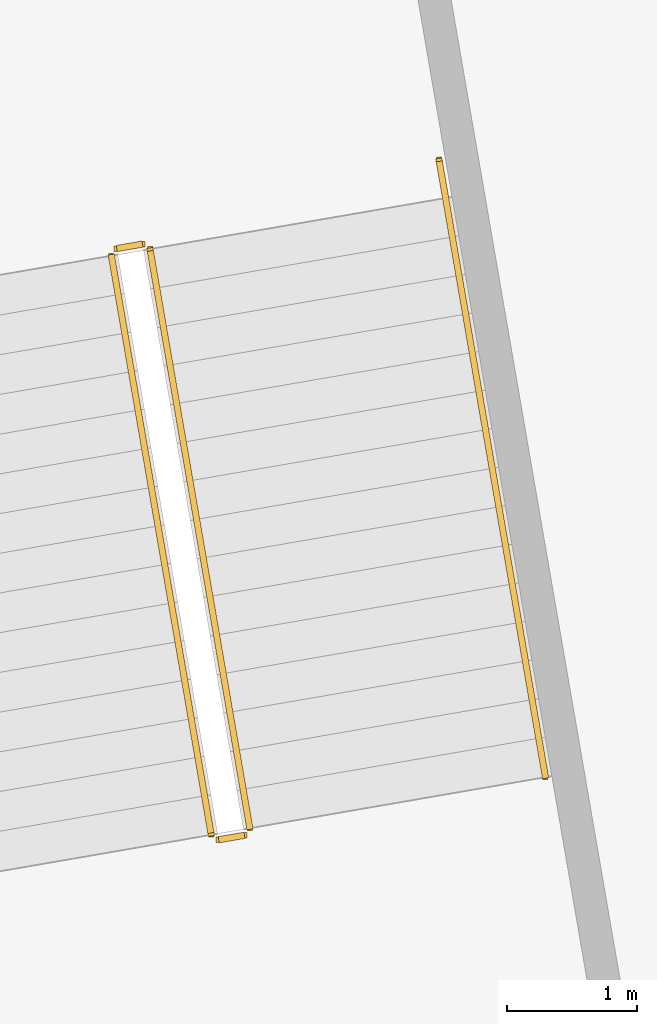
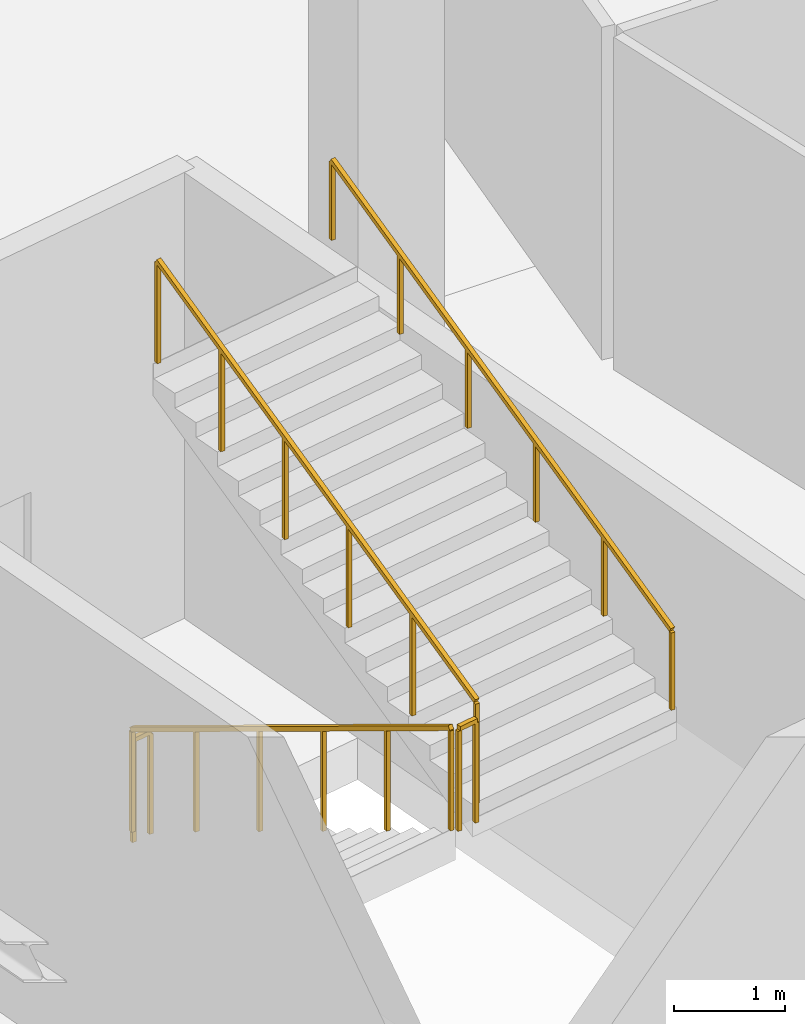
# One storey, part 152 of 178: 5 railings.
"""IFC4 building model written with IfcOpenShell, lengths in metres."""

from ifc_helpers import new_model, si_unit, direction, frame, origin, origin_2d, place, context, subcontext, project, spatial, rectangle, extrude, material, type_object, element, save


model = new_model("IFC4")

# Units and contexts
model_context = context("Model", 3, precision=1e-05, world=origin(), true_north=direction((0.0, 1.0)))
body_context = subcontext(model_context, "Body", "Model", "MODEL_VIEW")
ifc_project = project(units=[si_unit("LENGTHUNIT", "METRE"), si_unit("AREAUNIT", "SQUARE_METRE"), si_unit("VOLUMEUNIT", "CUBIC_METRE"), si_unit("PLANEANGLEUNIT", "RADIAN"), si_unit("MASSUNIT", "GRAM", prefix="KILO")], contexts=[model_context])

# Site, building, storey
site_placement = place(None, origin())
site = spatial("IfcSite", under=ifc_project, at=site_placement, CompositionType="ELEMENT")
building_placement = place(site_placement, origin())
building = spatial("IfcBuilding", under=site, at=building_placement, Name="Zlatoyarsky Gate Stadium", CompositionType="ELEMENT")
storey_placement = place(building_placement, frame((0.0, 0.0, 5.39990234375)))
storey = spatial("IfcBuildingStorey", under=building, at=storey_placement, Name="L01", CompositionType="ELEMENT", Elevation=5.39990234375)

# Railings
ifc_material_1 = material(Name="Powder-coated steel stair guardrail", Category="steel")
railing_type_1 = type_object("IfcRailingType", Name="PAINTED STEEL STAIR WELL GUARDRAIL 1150", PredefinedType="GUARDRAIL", material=ifc_material_1)
railing_1_placement = place(storey_placement, frame((23.9404296875, 73.914306640625, 0.16259765625)))
element("IfcRailing", 1, at=railing_1_placement, inside=storey, type_object=railing_type_1, Name="ST-07 L01 stair guard 1", PredefinedType="GUARDRAIL", context=body_context, shape_type="SweptSolid", body=[
    extrude(rectangle(XDim=0.048095703125, YDim=0.048095703125, at=origin_2d()), frame((0.0, 0.0, 1.1259765625), z_axis=(0.149410651291, -0.866505450206, 0.476282229402), x_axis=(0.985457609709, 0.16992145087, 0.0)), (0.0, 0.0, 1.0), 5.11767578125),
    extrude(rectangle(XDim=0.0419921875, YDim=0.0419921875, at=origin_2d()), origin(), (0.0, 0.0, 1.0), 1.101806640625),
    extrude(rectangle(XDim=0.0419921875, YDim=0.0419921875, at=origin_2d()), frame((0.15283203125, -0.886962890625, 0.487548828125)), (0.0, 0.0, 1.0), 1.101806640625),
    extrude(rectangle(XDim=0.0419921875, YDim=0.0419921875, at=origin_2d()), frame((0.305908203125, -1.77392578125, 0.97509765625)), (0.0, 0.0, 1.0), 1.101806640625),
    extrude(rectangle(XDim=0.0419921875, YDim=0.0419921875, at=origin_2d()), frame((0.458740234375, -2.66064453125, 1.46240234375)), (0.0, 0.0, 1.0), 1.101806640625),
    extrude(rectangle(XDim=0.0419921875, YDim=0.0419921875, at=origin_2d()), frame((0.61181640625, -3.547607421875, 1.949951171875)), (0.0, 0.0, 1.0), 1.101806640625),
    extrude(rectangle(XDim=0.0419921875, YDim=0.0419921875, at=origin_2d()), frame((0.7646484375, -4.4345703125, 2.4375)), (0.0, 0.0, 1.0), 1.101806640625),
])
railing_2_placement = place(storey_placement, frame((24.762939453125, 69.43896484375, 2.60009765625)))
element("IfcRailing", 2, at=railing_2_placement, inside=storey, type_object=railing_type_1, Name="ST-07 L01 stair guard 2", PredefinedType="GUARDRAIL", context=body_context, shape_type="SweptSolid", body=[
    extrude(rectangle(XDim=0.048095703125, YDim=0.048095703125, at=origin_2d()), frame((0.0, 0.0, 1.1259765625), z_axis=(0.985488304827, 0.16974333875, 0.0), x_axis=(-0.16974333875, 0.985488304827, 0.0)), (0.0, 0.0, 1.0), 0.199951171875),
    extrude(rectangle(XDim=0.0419921875, YDim=0.0419921875, at=origin_2d()), origin(), (0.0, 0.0, 1.0), 1.101806640625),
    extrude(rectangle(XDim=0.0419921875, YDim=0.0419921875, at=origin_2d()), frame((0.197021484375, 0.033935546875, 0.0)), (0.0, 0.0, 1.0), 1.101806640625),
])
railing_3_placement = place(storey_placement, frame((25.000732421875, 69.530517578125, 2.7626953125)))
element("IfcRailing", 3, at=railing_3_placement, inside=storey, type_object=railing_type_1, Name="ST-07 L01 stair guard 3", PredefinedType="GUARDRAIL", context=body_context, shape_type="SweptSolid", body=[
    extrude(rectangle(XDim=0.048095703125, YDim=0.048095703125, at=origin_2d()), frame((0.0, 0.0, 1.1259765625), z_axis=(-0.149410651291, 0.866505450206, 0.476282229402), x_axis=(-0.985457609709, -0.16992145087, 0.0)), (0.0, 0.0, 1.0), 5.11767578125),
    extrude(rectangle(XDim=0.0419921875, YDim=0.0419921875, at=origin_2d()), origin(), (0.0, 0.0, 1.0), 1.101806640625),
    extrude(rectangle(XDim=0.0419921875, YDim=0.0419921875, at=origin_2d()), frame((-0.15283203125, 0.886962890625, 0.487548828125)), (0.0, 0.0, 1.0), 1.101806640625),
    extrude(rectangle(XDim=0.0419921875, YDim=0.0419921875, at=origin_2d()), frame((-0.305908203125, 1.77392578125, 0.97509765625)), (0.0, 0.0, 1.0), 1.101806640625),
    extrude(rectangle(XDim=0.0419921875, YDim=0.0419921875, at=origin_2d()), frame((-0.458740234375, 2.66064453125, 1.46240234375)), (0.0, 0.0, 1.0), 1.101806640625),
    extrude(rectangle(XDim=0.0419921875, YDim=0.0419921875, at=origin_2d()), frame((-0.61181640625, 3.547607421875, 1.949951171875)), (0.0, 0.0, 1.0), 1.101806640625),
    extrude(rectangle(XDim=0.0419921875, YDim=0.0419921875, at=origin_2d()), frame((-0.7646484375, 4.4345703125, 2.4375)), (0.0, 0.0, 1.0), 1.101806640625),
])
railing_4_placement = place(storey_placement, frame((23.981201171875, 73.971923828125, 0.0)))
element("IfcRailing", 4, at=railing_4_placement, inside=storey, type_object=railing_type_1, Name="ST-07 L01 stair guard 4", PredefinedType="GUARDRAIL", context=body_context, shape_type="SweptSolid", body=[
    extrude(rectangle(XDim=0.048095703125, YDim=0.048095703125, at=origin_2d()), frame((0.0, 0.0, 1.1259765625), z_axis=(0.985488304827, 0.16974333875, 0.0), x_axis=(-0.16974333875, 0.985488304827, 0.0)), (0.0, 0.0, 1.0), 0.199951171875),
    extrude(rectangle(XDim=0.0419921875, YDim=0.0419921875, at=origin_2d()), origin(), (0.0, 0.0, 1.0), 1.101806640625),
    extrude(rectangle(XDim=0.0419921875, YDim=0.0419921875, at=origin_2d()), frame((0.197021484375, 0.033935546875, 0.0)), (0.0, 0.0, 1.0), 1.101806640625),
])
ifc_material_2 = material(Name="Brushed stainless steel 316 handrail", Category="steel")
railing_type_2 = type_object("IfcRailingType", Name="STAINLESS STEEL TUBULAR HANDRAIL 900", PredefinedType="HANDRAIL", material=ifc_material_2)
railing_5_placement = place(storey_placement, frame((27.267333984375, 69.92138671875, 2.7666015625)))
element("IfcRailing", 5, at=railing_5_placement, inside=storey, type_object=railing_type_2, Name="ST-07 L01 stair handrail 2", PredefinedType="HANDRAIL", context=body_context, shape_type="SweptSolid", body=[
    extrude(rectangle(XDim=0.048095703125, YDim=0.048095703125, at=origin_2d()), frame((0.0, 0.0, 0.8759765625), z_axis=(-0.149417737082, 0.866497652186, 0.476294193331), x_axis=(-0.985456004189, -0.169930761806, 0.0)), (0.0, 0.0, 1.0), 5.458984375),
    extrude(rectangle(XDim=0.0419921875, YDim=0.0419921875, at=origin_2d()), origin(), (0.0, 0.0, 1.0), 0.851806640625),
    extrude(rectangle(XDim=0.0419921875, YDim=0.0419921875, at=origin_2d()), frame((-0.1630859375, 0.946044921875, 0.52001953125)), (0.0, 0.0, 1.0), 0.851806640625),
    extrude(rectangle(XDim=0.0419921875, YDim=0.0419921875, at=origin_2d()), frame((-0.326171875, 1.89208984375, 1.0400390625)), (0.0, 0.0, 1.0), 0.851806640625),
    extrude(rectangle(XDim=0.0419921875, YDim=0.0419921875, at=origin_2d()), frame((-0.489501953125, 2.838134765625, 1.56005859375)), (0.0, 0.0, 1.0), 0.851806640625),
    extrude(rectangle(XDim=0.0419921875, YDim=0.0419921875, at=origin_2d()), frame((-0.652587890625, 3.7841796875, 2.080078125)), (0.0, 0.0, 1.0), 0.851806640625),
    extrude(rectangle(XDim=0.0419921875, YDim=0.0419921875, at=origin_2d()), frame((-0.815673828125, 4.730224609375, 2.60009765625)), (0.0, 0.0, 1.0), 0.851806640625),
])

save(model, "model.ifc")
